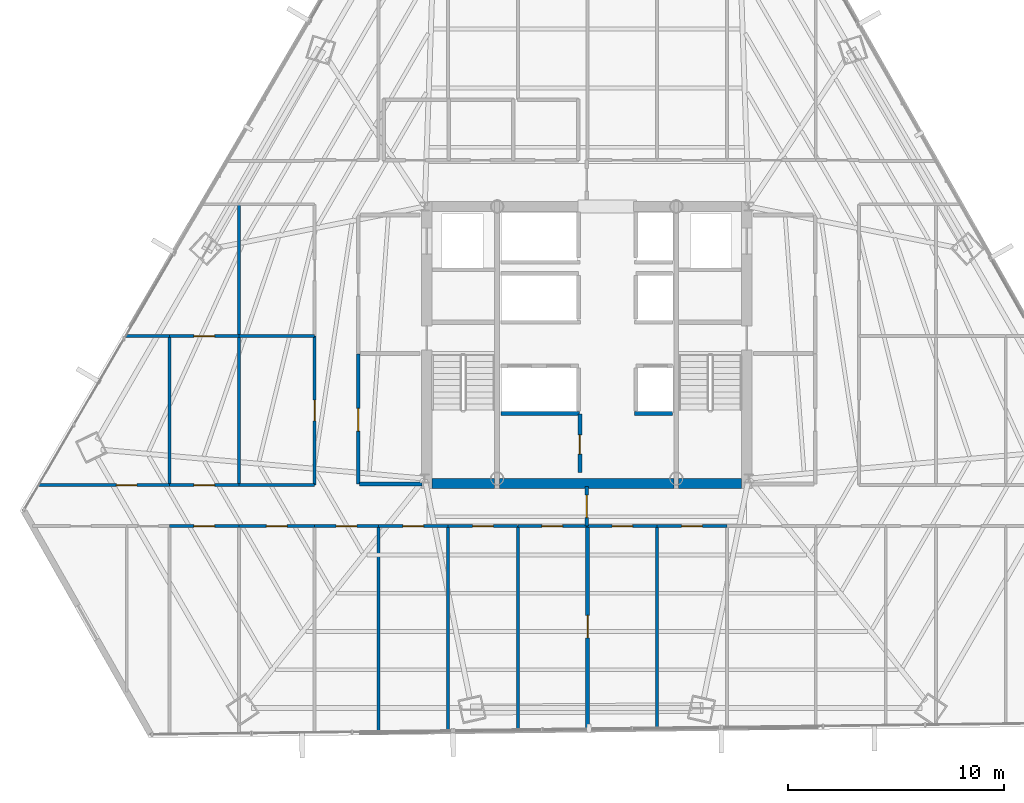
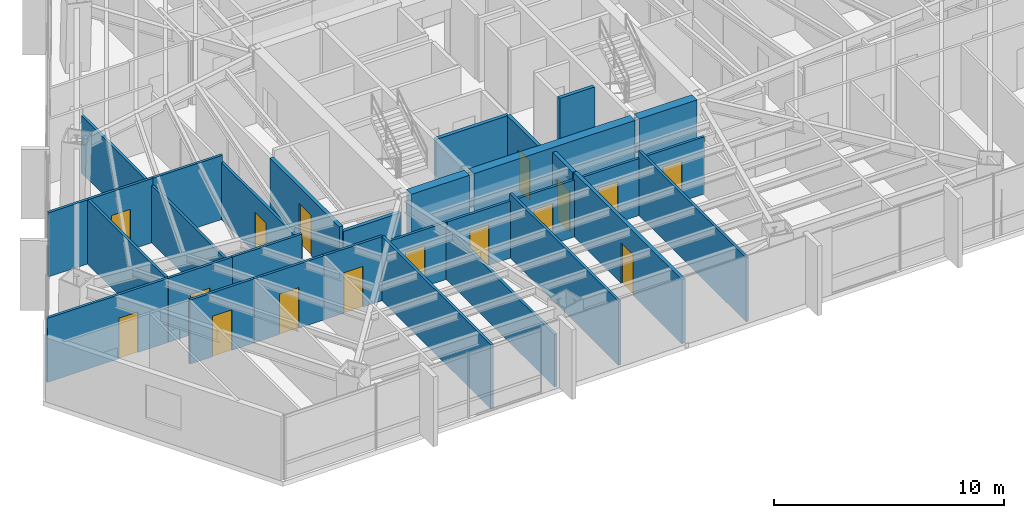
# One storey, part 29 of 35: 32 walls, 16 doors, 16 openings.
"""IFC4 building model written with IfcOpenShell, lengths in metres."""

from ifc_helpers import new_model, si_unit, direction, frame, frame_2d, origin, place, context, subcontext, project, spatial, rectangle, extrude, material, layer, layer_set, type_object, element, fill, save


model = new_model("IFC4")

# Units and contexts
model_context = context("Model", 3, precision=1e-05, world=origin(), true_north=direction((0.0, 1.0)))
body_context = subcontext(model_context, "Body", "Model", "MODEL_VIEW")
ifc_project = project(units=[si_unit("LENGTHUNIT", "METRE"), si_unit("AREAUNIT", "SQUARE_METRE"), si_unit("VOLUMEUNIT", "CUBIC_METRE"), si_unit("PLANEANGLEUNIT", "RADIAN"), si_unit("MASSUNIT", "GRAM", prefix="KILO")], contexts=[model_context])

# Site, building, storey
site_placement = place(None, origin())
site = spatial("IfcSite", under=ifc_project, at=site_placement, CompositionType="ELEMENT")
building_placement = place(site_placement, origin())
building = spatial("IfcBuilding", under=site, at=building_placement, Name="Caelisora Broadcast Tower", CompositionType="ELEMENT")
storey_placement = place(building_placement, frame((0.0, 0.0, 123.64990234375)))
storey = spatial("IfcBuildingStorey", under=building, at=storey_placement, Name="L32", CompositionType="ELEMENT", Elevation=123.64990234375)

# Walls
ifc_material_1 = material(Name="Concrete 50 MPa (AS 3600 S50)", Category="concrete")
ifc_layer_1 = layer(ifc_material_1, 0.449951171875, Name="Concrete 50 MPa (AS 3600 S50)")
ifc_layer_set_1 = layer_set([ifc_layer_1], Name="Concrete 50 MPa (AS 3600 S50)")
wall_type_1 = type_object("IfcWallType", Name="CW5", PredefinedType="SHEAR", material=ifc_layer_set_1)
wall_1_placement = place(storey_placement, frame((30.840087890625, 17.175048828125, 0.0), z_axis=(0.0, 0.0, 1.0), x_axis=(1.0, 0.0, 0.0)))
element("IfcWall", 1, at=wall_1_placement, inside=storey, type_object=wall_type_1, Name="L32 core shear wall CW5", PredefinedType="SHEAR", context=body_context, shape_type="SweptSolid", body=[
    extrude(rectangle(XDim=2.89990234375, YDim=0.449951171875, at=frame_2d((1.449951171875, 0.0))), origin(), (0.0, 0.0, 1.0), 3.650146484375),
])
wall_2_placement = place(storey_placement, frame((33.9599609375, 17.175048828125, 0.0), z_axis=(0.0, 0.0, 1.0), x_axis=(1.0, 0.0, 0.0)))
element("IfcWall", 2, at=wall_2_placement, inside=storey, type_object=wall_type_1, Name="L32 core shear wall CW5", PredefinedType="SHEAR", context=body_context, shape_type="SweptSolid", body=[
    extrude(rectangle(XDim=8.080078125, YDim=0.449951171875, at=frame_2d((4.0400390625, 0.0))), origin(), (0.0, 0.0, 1.0), 3.650146484375),
])
wall_3_placement = place(storey_placement, frame((42.260009765625, 17.175048828125, 0.0), z_axis=(0.0, 0.0, 1.0), x_axis=(1.0, 0.0, 0.0)))
element("IfcWall", 3, at=wall_3_placement, inside=storey, type_object=wall_type_1, Name="L32 core shear wall CW5", PredefinedType="SHEAR", context=body_context, shape_type="SweptSolid", body=[
    extrude(rectangle(XDim=2.89990234375, YDim=0.449951171875, at=frame_2d((1.449951171875, 0.0))), origin(), (0.0, 0.0, 1.0), 3.650146484375),
])
ifc_material_2 = material(Name="Fire-Rated Gypsum Shaft and Compartment Wall", Category="gypsum")
ifc_layer_2 = layer(ifc_material_2, 0.179931640625, Name="Fire-Rated Gypsum Shaft and Compartment Wall")
ifc_layer_set_2 = layer_set([ifc_layer_2], Name="Fire-Rated Gypsum Shaft and Compartment Wall")
wall_type_2 = type_object("IfcWallType", Name="PW2", PredefinedType="PARTITIONING", material=ifc_layer_set_2)
wall_4_placement = place(storey_placement, frame((34.02001953125, 20.419921875, 0.0), z_axis=(0.0, 0.0, 1.0), x_axis=(1.0, 0.0, 0.0)))
element("IfcWall", 4, at=wall_4_placement, inside=storey, type_object=wall_type_2, Name="L32 fire compartment wall PW2", PredefinedType="PARTITIONING", context=body_context, shape_type="SweptSolid", body=[
    extrude(rectangle(XDim=3.639892578125, YDim=0.179931640625, at=frame_2d((1.81982421875, 0.0))), origin(), (0.0, 0.0, 1.0), 3.400146484375),
])
wall_5_placement = place(storey_placement, frame((40.219970703125, 20.419921875, 0.0), z_axis=(0.0, 0.0, 1.0), x_axis=(1.0, 0.0, 0.0)))
element("IfcWall", 5, at=wall_5_placement, inside=storey, type_object=wall_type_2, Name="L32 fire compartment wall PW2", PredefinedType="PARTITIONING", context=body_context, shape_type="SweptSolid", body=[
    extrude(rectangle(XDim=1.760009765625, YDim=0.179931640625, at=frame_2d((0.8798828125, 0.0))), origin(), (0.0, 0.0, 1.0), 3.400146484375),
])

# Wall, opening, door
wall_6_placement = place(storey_placement, frame((37.679931640625, 17.679931640625, 0.0), z_axis=(0.0, 0.0, 1.0), x_axis=(0.0, 1.0, 0.0)))
wall_6 = element("IfcWall", 6, at=wall_6_placement, inside=storey, type_object=wall_type_2, Name="L32 fire compartment wall PW2", PredefinedType="PARTITIONING", context=body_context, shape_type="SweptSolid", body=[
    extrude(rectangle(XDim=2.699951171875, YDim=0.179931640625, at=frame_2d((1.35009765625, 0.0))), origin(), (0.0, 0.0, 1.0), 3.400146484375),
])
opening_1_placement = place(wall_6_placement, frame((0.85009765625, 0.0, 0.0)))
opening_1 = element("IfcOpeningElement", 7, at=opening_1_placement, cuts=wall_6, Name="Opening FD03", PredefinedType="OPENING", context=body_context, shape_type="SweptSolid", body=[
    extrude(rectangle(XDim=0.89990234375, YDim=2.10009765625, at=frame_2d((0.449951171875, 1.050048828125))), frame((0.0, 0.10205078125, 0.0), z_axis=(0.0, -1.0, 0.0), x_axis=(1.0, 0.0, 0.0)), (0.0, 0.0, 1.0), 0.203857421875),
])
ifc_material_3 = material(Name="Single-Leaf Steel Riser Fire Access Door", Category="steel")
door_type_1 = type_object("IfcDoorType", Name="FD03", OperationType="NOTDEFINED", PredefinedType="DOOR", material=ifc_material_3)
door_1_placement = place(opening_1_placement, origin())
door_1 = element("IfcDoor", 8, at=door_1_placement, inside=storey, type_object=door_type_1, Name="L32 door FD03 (L32-DR-P11D1)", OperationType="SINGLE_SWING_LEFT", OverallHeight=2.10009765625, OverallWidth=0.89990234375, PredefinedType="DOOR", context=body_context, shape_type="SweptSolid", body=[
    extrude(rectangle(XDim=0.89990234375, YDim=2.10009765625, at=frame_2d((0.449951171875, 1.050048828125))), frame((0.0, 0.02490234375, 0.0), z_axis=(0.0, -1.0, 0.0), x_axis=(1.0, 0.0, 0.0)), (0.0, 0.0, 1.0), 0.050048828125),
])
fill(opening_1, door_1)

wall_7_placement = place(storey_placement, frame((27.419921875, 17.14990234375, 0.0), z_axis=(0.0, 0.0, 1.0), x_axis=(0.0, 1.0, 0.0)))
wall_7 = element("IfcWall", 9, at=wall_7_placement, inside=storey, type_object=wall_type_2, Name="L32 fire compartment wall PW2", PredefinedType="PARTITIONING", context=body_context, shape_type="SweptSolid", body=[
    extrude(rectangle(XDim=6.030029296875, YDim=0.179931640625, at=frame_2d((3.01513671875, 0.0))), origin(), (0.0, 0.0, 1.0), 3.026611328125),
])
opening_2_placement = place(wall_7_placement, frame((2.449951171875, 0.0, 0.0)))
opening_2 = element("IfcOpeningElement", 10, at=opening_2_placement, cuts=wall_7, Name="Opening FD02", PredefinedType="OPENING", context=body_context, shape_type="SweptSolid", body=[
    extrude(rectangle(XDim=1.050048828125, YDim=2.14990234375, at=frame_2d((0.52490234375, 1.074951171875))), frame((0.0, 0.10205078125, 0.0), z_axis=(0.0, -1.0, 0.0), x_axis=(1.0, 0.0, 0.0)), (0.0, 0.0, 1.0), 0.203857421875),
])
ifc_material_4 = material(Name="Single-Leaf Steel Fire Lobby Door", Category="steel")
door_type_2 = type_object("IfcDoorType", Name="FD02", OperationType="NOTDEFINED", PredefinedType="DOOR", material=ifc_material_4)
door_2_placement = place(opening_2_placement, origin())
door_2 = element("IfcDoor", 11, at=door_2_placement, inside=storey, type_object=door_type_2, Name="L32 door FD02 (L32-DR-P12D1)", OperationType="SINGLE_SWING_RIGHT", OverallHeight=2.14990234375, OverallWidth=1.050048828125, PredefinedType="DOOR", context=body_context, shape_type="SweptSolid", body=[
    extrude(rectangle(XDim=1.050048828125, YDim=2.14990234375, at=frame_2d((0.52490234375, 1.074951171875))), frame((0.0, 0.02490234375, 0.0), z_axis=(0.0, -1.0, 0.0), x_axis=(1.0, 0.0, 0.0)), (0.0, 0.0, 1.0), 0.050048828125),
])
fill(opening_2, door_2)

# Wall
wall_8_placement = place(storey_placement, frame((27.47998046875, 17.14990234375, 0.0), z_axis=(0.0, 0.0, 1.0), x_axis=(1.0, 0.0, 0.0)))
element("IfcWall", 12, at=wall_8_placement, inside=storey, type_object=wall_type_2, Name="L32 fire compartment wall PW2", PredefinedType="PARTITIONING", context=body_context, shape_type="SweptSolid", body=[
    extrude(rectangle(XDim=2.89990234375, YDim=0.179931640625, at=frame_2d((1.449951171875, 0.0))), origin(), (0.0, 0.0, 1.0), 2.782958984375),
])

# Wall, opening, door
wall_9_placement = place(storey_placement, frame((38.0400390625, 5.79931640625, 0.0), z_axis=(0.0, 0.0, 1.0), x_axis=(0.0, 1.0, 0.0)))
wall_9 = element("IfcWall", 13, at=wall_9_placement, inside=storey, type_object=wall_type_2, Name="L32 fire compartment wall PW2", PredefinedType="PARTITIONING", context=body_context, shape_type="SweptSolid", body=[
    extrude(rectangle(XDim=9.395751953125, YDim=0.179931640625, at=frame_2d((4.69775390625, 0.0))), origin(), (0.0, 0.0, 1.0), 3.400146484375),
])
opening_3_placement = place(wall_9_placement, frame((4.222900390625, 0.0, 0.0)))
opening_3 = element("IfcOpeningElement", 14, at=opening_3_placement, cuts=wall_9, Name="Opening FD02", PredefinedType="OPENING", context=body_context, shape_type="SweptSolid", body=[
    extrude(rectangle(XDim=1.050048828125, YDim=2.14990234375, at=frame_2d((0.52490234375, 1.074951171875))), frame((0.0, 0.10205078125, 0.0), z_axis=(0.0, -1.0, 0.0), x_axis=(1.0, 0.0, 0.0)), (0.0, 0.0, 1.0), 0.203857421875),
])
door_3_placement = place(opening_3_placement, origin())
door_3 = element("IfcDoor", 15, at=door_3_placement, inside=storey, type_object=door_type_2, Name="L32 door FD02 (L32-DR-P39D1)", OperationType="SINGLE_SWING_RIGHT", OverallHeight=2.14990234375, OverallWidth=1.050048828125, PredefinedType="DOOR", context=body_context, shape_type="SweptSolid", body=[
    extrude(rectangle(XDim=1.050048828125, YDim=2.14990234375, at=frame_2d((0.52490234375, 1.074951171875))), frame((0.0, 0.02490234375, 0.0), z_axis=(0.0, -1.0, 0.0), x_axis=(1.0, 0.0, 0.0)), (0.0, 0.0, 1.0), 0.050048828125),
])
fill(opening_3, door_3)

wall_10_placement = place(storey_placement, frame((38.0, 15.205078125, 0.0), z_axis=(0.0, 0.0, 1.0), x_axis=(0.0, 1.0, 0.0)))
wall_10 = element("IfcWall", 16, at=wall_10_placement, inside=storey, type_object=wall_type_2, Name="L32 fire compartment wall PW2", PredefinedType="PARTITIONING", context=body_context, shape_type="SweptSolid", body=[
    extrude(rectangle(XDim=1.81982421875, YDim=0.179931640625, at=frame_2d((0.909912109375, 0.0))), origin(), (0.0, 0.0, 1.0), 3.400146484375),
])
opening_4_placement = place(wall_10_placement, frame((0.385009765625, 0.0, 0.0)))
opening_4 = element("IfcOpeningElement", 17, at=opening_4_placement, cuts=wall_10, Name="Opening FD02", PredefinedType="OPENING", context=body_context, shape_type="SweptSolid", body=[
    extrude(rectangle(XDim=1.050048828125, YDim=2.14990234375, at=frame_2d((0.52490234375, 1.074951171875))), frame((0.0, 0.10205078125, 0.0), z_axis=(0.0, -1.0, 0.0), x_axis=(1.0, 0.0, 0.0)), (0.0, 0.0, 1.0), 0.203857421875),
])
door_4_placement = place(opening_4_placement, origin())
door_4 = element("IfcDoor", 18, at=door_4_placement, inside=storey, type_object=door_type_2, Name="L32 door FD02 (L32-DR-P92D1)", OperationType="SINGLE_SWING_LEFT", OverallHeight=2.14990234375, OverallWidth=1.050048828125, PredefinedType="DOOR", context=body_context, shape_type="SweptSolid", body=[
    extrude(rectangle(XDim=1.050048828125, YDim=2.14990234375, at=frame_2d((0.52490234375, 1.074951171875))), frame((0.0, 0.02490234375, 0.0), z_axis=(0.0, -1.0, 0.0), x_axis=(1.0, 0.0, 0.0)), (0.0, 0.0, 1.0), 0.050048828125),
])
fill(opening_4, door_4)

# Walls
ifc_material_5 = material(Name="Acoustic Steel-Stud Plasterboard Partition", Category="gypsum")
ifc_layer_3 = layer(ifc_material_5, 0.1298828125, Name="Acoustic Steel-Stud Plasterboard Partition")
ifc_layer_set_3 = layer_set([ifc_layer_3], Name="Acoustic Steel-Stud Plasterboard Partition")
wall_type_3 = type_object("IfcWallType", Name="PW3", PredefinedType="PARTITIONING", material=ifc_layer_set_3)
wall_11_placement = place(storey_placement, frame((28.360107421875, 5.678466796875, 0.0), z_axis=(0.0, 0.0, 1.0), x_axis=(0.0, 1.0, 0.0)))
element("IfcWall", 19, at=wall_11_placement, inside=storey, type_object=wall_type_3, Name="L32 internal partition PW3", PredefinedType="PARTITIONING", context=body_context, shape_type="SweptSolid", body=[
    extrude(rectangle(XDim=9.5166015625, YDim=0.1298828125, at=frame_2d((4.75830078125, 0.0))), origin(), (0.0, 0.0, 1.0), 3.400146484375),
])
wall_12_placement = place(storey_placement, frame((31.580078125, 5.718505859375, 0.0), z_axis=(0.0, 0.0, 1.0), x_axis=(0.0, 1.0, 0.0)))
element("IfcWall", 20, at=wall_12_placement, inside=storey, type_object=wall_type_3, Name="L32 internal partition PW3", PredefinedType="PARTITIONING", context=body_context, shape_type="SweptSolid", body=[
    extrude(rectangle(XDim=9.4765625, YDim=0.1298828125, at=frame_2d((4.73828125, 0.0))), origin(), (0.0, 0.0, 1.0), 2.782958984375),
])
wall_13_placement = place(storey_placement, frame((34.81005859375, 5.7587890625, 0.0), z_axis=(0.0, 0.0, 1.0), x_axis=(0.0, 1.0, 0.0)))
element("IfcWall", 21, at=wall_13_placement, inside=storey, type_object=wall_type_3, Name="L32 internal partition PW3", PredefinedType="PARTITIONING", context=body_context, shape_type="SweptSolid", body=[
    extrude(rectangle(XDim=9.436279296875, YDim=0.1298828125, at=frame_2d((4.71826171875, 0.0))), origin(), (0.0, 0.0, 1.0), 3.400146484375),
])
wall_14_placement = place(storey_placement, frame((41.260009765625, 5.83935546875, 0.0), z_axis=(0.0, 0.0, 1.0), x_axis=(0.0, 1.0, 0.0)))
element("IfcWall", 22, at=wall_14_placement, inside=storey, type_object=wall_type_3, Name="L32 internal partition PW3", PredefinedType="PARTITIONING", context=body_context, shape_type="SweptSolid", body=[
    extrude(rectangle(XDim=9.355712890625, YDim=0.1298828125, at=frame_2d((4.677734375, 0.0))), origin(), (0.0, 0.0, 1.0), 3.400146484375),
])

# Wall, opening, door
wall_15_placement = place(storey_placement, frame((25.39990234375, 17.10498046875, 0.0), z_axis=(0.0, 0.0, 1.0), x_axis=(0.0, 1.0, 0.0)))
wall_15 = element("IfcWall", 23, at=wall_15_placement, inside=storey, type_object=wall_type_3, Name="L32 internal partition PW3", PredefinedType="PARTITIONING", context=body_context, shape_type="SweptSolid", body=[
    extrude(rectangle(XDim=6.89013671875, YDim=0.1298828125, at=frame_2d((3.445068359375, 0.0))), origin(), (0.0, 0.0, 1.0), 3.026611328125),
])
opening_5_placement = place(wall_15_placement, frame((2.965087890625, 0.0, 0.0)))
opening_5 = element("IfcOpeningElement", 24, at=opening_5_placement, cuts=wall_15, Name="Opening D01", PredefinedType="OPENING", context=body_context, shape_type="SweptSolid", body=[
    extrude(rectangle(XDim=0.9599609375, YDim=2.14990234375, at=frame_2d((0.47998046875, 1.074951171875))), frame((0.0, 0.076904296875, 0.0), z_axis=(0.0, -1.0, 0.0), x_axis=(1.0, 0.0, 0.0)), (0.0, 0.0, 1.0), 0.15380859375),
])
ifc_material_6 = material(Name="Solid-Core Timber Acoustic Office Door", Category="wood")
door_type_3 = type_object("IfcDoorType", Name="D01", OperationType="NOTDEFINED", PredefinedType="DOOR", material=ifc_material_6)
door_5_placement = place(opening_5_placement, origin())
door_5 = element("IfcDoor", 25, at=door_5_placement, inside=storey, type_object=door_type_3, Name="L32 door D01 (L32-DR-P47D1)", OperationType="SINGLE_SWING_LEFT", OverallHeight=2.14990234375, OverallWidth=0.9599609375, PredefinedType="DOOR", context=body_context, shape_type="SweptSolid", body=[
    extrude(rectangle(XDim=0.9599609375, YDim=2.14990234375, at=frame_2d((0.47998046875, 1.074951171875))), frame((0.0, 0.02490234375, 0.0), z_axis=(0.0, -1.0, 0.0), x_axis=(1.0, 0.0, 0.0)), (0.0, 0.0, 1.0), 0.050048828125),
])
fill(opening_5, door_5)

# Walls
wall_16_placement = place(storey_placement, frame((18.679931640625, 17.10498046875, 0.0), z_axis=(0.0, 0.0, 1.0), x_axis=(0.0, 1.0, 0.0)))
element("IfcWall", 26, at=wall_16_placement, inside=storey, type_object=wall_type_3, Name="L32 internal partition PW3", PredefinedType="PARTITIONING", context=body_context, shape_type="SweptSolid", body=[
    extrude(rectangle(XDim=6.89013671875, YDim=0.1298828125, at=frame_2d((3.445068359375, 0.0))), origin(), (0.0, 0.0, 1.0), 3.400146484375),
])
wall_17_placement = place(storey_placement, frame((21.89990234375, 17.10498046875, 0.0), z_axis=(0.0, 0.0, 1.0), x_axis=(0.0, 1.0, 0.0)))
element("IfcWall", 27, at=wall_17_placement, inside=storey, type_object=wall_type_3, Name="L32 internal partition PW3", PredefinedType="PARTITIONING", context=body_context, shape_type="SweptSolid", body=[
    extrude(rectangle(XDim=6.89013671875, YDim=0.1298828125, at=frame_2d((3.445068359375, 0.0))), origin(), (0.0, 0.0, 1.0), 3.026611328125),
])

# Wall, opening, door
wall_18_placement = place(storey_placement, frame((12.614013671875, 17.10009765625, 0.0), z_axis=(0.0, 0.0, 1.0), x_axis=(1.0, 0.0, 0.0)))
wall_18 = element("IfcWall", 28, at=wall_18_placement, inside=storey, type_object=wall_type_3, Name="L32 internal partition PW3", PredefinedType="PARTITIONING", context=body_context, shape_type="SweptSolid", body=[
    extrude(rectangle(XDim=6.06103515625, YDim=0.1298828125, at=frame_2d((3.030517578125, 0.0))), origin(), (0.0, 0.0, 1.0), 3.400146484375),
])
opening_6_placement = place(wall_18_placement, frame((3.60009765625, 0.0, 0.0)))
opening_6 = element("IfcOpeningElement", 29, at=opening_6_placement, cuts=wall_18, Name="Opening D01", PredefinedType="OPENING", context=body_context, shape_type="SweptSolid", body=[
    extrude(rectangle(XDim=0.9599609375, YDim=2.14990234375, at=frame_2d((0.47998046875, 1.074951171875))), frame((0.0, 0.076904296875, 0.0), z_axis=(0.0, -1.0, 0.0), x_axis=(1.0, 0.0, 0.0)), (0.0, 0.0, 1.0), 0.15380859375),
])
door_6_placement = place(opening_6_placement, origin())
door_6 = element("IfcDoor", 30, at=door_6_placement, inside=storey, type_object=door_type_3, Name="L32 door D01 (L32-DR-P54D1)", OperationType="SINGLE_SWING_RIGHT", OverallHeight=2.14990234375, OverallWidth=0.9599609375, PredefinedType="DOOR", context=body_context, shape_type="SweptSolid", body=[
    extrude(rectangle(XDim=0.9599609375, YDim=2.14990234375, at=frame_2d((0.47998046875, 1.074951171875))), frame((0.0, 0.02490234375, 0.0), z_axis=(0.0, -1.0, 0.0), x_axis=(1.0, 0.0, 0.0)), (0.0, 0.0, 1.0), 0.050048828125),
])
fill(opening_6, door_6)

# Walls
wall_19_placement = place(storey_placement, frame((21.89990234375, 24.0048828125, 0.0), z_axis=(0.0, 0.0, 1.0), x_axis=(0.0, 1.0, 0.0)))
element("IfcWall", 31, at=wall_19_placement, inside=storey, type_object=wall_type_3, Name="L32 internal partition PW3", PredefinedType="PARTITIONING", context=body_context, shape_type="SweptSolid", body=[
    extrude(rectangle(XDim=6.090087890625, YDim=0.1298828125, at=frame_2d((3.044921875, 0.0))), origin(), (0.0, 0.0, 1.0), 3.026611328125),
])
wall_20_placement = place(storey_placement, frame((21.905029296875, 17.10009765625, 0.0), z_axis=(0.0, 0.0, 1.0), x_axis=(1.0, 0.0, 0.0)))
element("IfcWall", 32, at=wall_20_placement, inside=storey, type_object=wall_type_3, Name="L32 internal partition PW3", PredefinedType="PARTITIONING", context=body_context, shape_type="SweptSolid", body=[
    extrude(rectangle(XDim=3.489990234375, YDim=0.1298828125, at=frame_2d((1.7451171875, 0.0))), origin(), (0.0, 0.0, 1.0), 3.400146484375),
])

# Wall, opening, door
wall_21_placement = place(storey_placement, frame((21.905029296875, 15.199951171875, 0.0), z_axis=(0.0, 0.0, 1.0), x_axis=(1.0, 0.0, 0.0)))
wall_21 = element("IfcWall", 33, at=wall_21_placement, inside=storey, type_object=wall_type_3, Name="L32 internal partition PW3", PredefinedType="PARTITIONING", context=body_context, shape_type="SweptSolid", body=[
    extrude(rectangle(XDim=3.489990234375, YDim=0.1298828125, at=frame_2d((1.7451171875, 0.0))), origin(), (0.0, 0.0, 1.0), 3.400146484375),
])
opening_7_placement = place(wall_21_placement, frame((1.264892578125, 0.0, 0.0)))
opening_7 = element("IfcOpeningElement", 34, at=opening_7_placement, cuts=wall_21, Name="Opening D01", PredefinedType="OPENING", context=body_context, shape_type="SweptSolid", body=[
    extrude(rectangle(XDim=0.9599609375, YDim=2.14990234375, at=frame_2d((0.47998046875, 1.074951171875))), frame((0.0, 0.076904296875, 0.0), z_axis=(0.0, -1.0, 0.0), x_axis=(1.0, 0.0, 0.0)), (0.0, 0.0, 1.0), 0.15380859375),
])
door_7_placement = place(opening_7_placement, origin())
door_7 = element("IfcDoor", 35, at=door_7_placement, inside=storey, type_object=door_type_3, Name="L32 door D01 (L32-DR-P70D1)", OperationType="SINGLE_SWING_RIGHT", OverallHeight=2.14990234375, OverallWidth=0.9599609375, PredefinedType="DOOR", context=body_context, shape_type="SweptSolid", body=[
    extrude(rectangle(XDim=0.9599609375, YDim=2.14990234375, at=frame_2d((0.47998046875, 1.074951171875))), frame((0.0, 0.02490234375, 0.0), z_axis=(0.0, -1.0, 0.0), x_axis=(1.0, 0.0, 0.0)), (0.0, 0.0, 1.0), 0.050048828125),
])
fill(opening_7, door_7)

# Wall
wall_22_placement = place(storey_placement, frame((21.905029296875, 24.0, 0.0), z_axis=(0.0, 0.0, 1.0), x_axis=(1.0, 0.0, 0.0)))
element("IfcWall", 36, at=wall_22_placement, inside=storey, type_object=wall_type_3, Name="L32 internal partition PW3", PredefinedType="PARTITIONING", context=body_context, shape_type="SweptSolid", body=[
    extrude(rectangle(XDim=3.489990234375, YDim=0.1298828125, at=frame_2d((1.7451171875, 0.0))), origin(), (0.0, 0.0, 1.0), 3.400146484375),
])

# Wall, opening, door
wall_23_placement = place(storey_placement, frame((31.5849609375, 15.199951171875, 0.0), z_axis=(0.0, 0.0, 1.0), x_axis=(1.0, 0.0, 0.0)))
wall_23 = element("IfcWall", 37, at=wall_23_placement, inside=storey, type_object=wall_type_3, Name="L32 internal partition PW3", PredefinedType="PARTITIONING", context=body_context, shape_type="SweptSolid", body=[
    extrude(rectangle(XDim=3.219970703125, YDim=0.1298828125, at=frame_2d((1.60986328125, 0.0))), origin(), (0.0, 0.0, 1.0), 3.026611328125),
])
opening_8_placement = place(wall_23_placement, frame((1.1298828125, 0.0, 0.0)))
opening_8 = element("IfcOpeningElement", 38, at=opening_8_placement, cuts=wall_23, Name="Opening D01", PredefinedType="OPENING", context=body_context, shape_type="SweptSolid", body=[
    extrude(rectangle(XDim=0.9599609375, YDim=2.14990234375, at=frame_2d((0.47998046875, 1.074951171875))), frame((0.0, 0.076904296875, 0.0), z_axis=(0.0, -1.0, 0.0), x_axis=(1.0, 0.0, 0.0)), (0.0, 0.0, 1.0), 0.15380859375),
])
door_8_placement = place(opening_8_placement, origin())
door_8 = element("IfcDoor", 39, at=door_8_placement, inside=storey, type_object=door_type_3, Name="L32 door D01 (L32-DR-P73D1)", OperationType="SINGLE_SWING_RIGHT", OverallHeight=2.14990234375, OverallWidth=0.9599609375, PredefinedType="DOOR", context=body_context, shape_type="SweptSolid", body=[
    extrude(rectangle(XDim=0.9599609375, YDim=2.14990234375, at=frame_2d((0.47998046875, 1.074951171875))), frame((0.0, 0.02490234375, 0.0), z_axis=(0.0, -1.0, 0.0), x_axis=(1.0, 0.0, 0.0)), (0.0, 0.0, 1.0), 0.050048828125),
])
fill(opening_8, door_8)

wall_24_placement = place(storey_placement, frame((41.264892578125, 15.199951171875, 0.0), z_axis=(0.0, 0.0, 1.0), x_axis=(1.0, 0.0, 0.0)))
wall_24 = element("IfcWall", 40, at=wall_24_placement, inside=storey, type_object=wall_type_3, Name="L32 internal partition PW3", PredefinedType="PARTITIONING", context=body_context, shape_type="SweptSolid", body=[
    extrude(rectangle(XDim=3.22021484375, YDim=0.1298828125, at=frame_2d((1.610107421875, 0.0))), origin(), (0.0, 0.0, 1.0), 3.026611328125),
])
opening_9_placement = place(wall_24_placement, frame((1.1298828125, 0.0, 0.0)))
opening_9 = element("IfcOpeningElement", 41, at=opening_9_placement, cuts=wall_24, Name="Opening D01", PredefinedType="OPENING", context=body_context, shape_type="SweptSolid", body=[
    extrude(rectangle(XDim=0.9599609375, YDim=2.14990234375, at=frame_2d((0.47998046875, 1.074951171875))), frame((0.0, 0.076904296875, 0.0), z_axis=(0.0, -1.0, 0.0), x_axis=(1.0, 0.0, 0.0)), (0.0, 0.0, 1.0), 0.15380859375),
])
door_9_placement = place(opening_9_placement, origin())
door_9 = element("IfcDoor", 42, at=door_9_placement, inside=storey, type_object=door_type_3, Name="L32 door D01 (L32-DR-P75D1)", OperationType="SINGLE_SWING_RIGHT", OverallHeight=2.14990234375, OverallWidth=0.9599609375, PredefinedType="DOOR", context=body_context, shape_type="SweptSolid", body=[
    extrude(rectangle(XDim=0.9599609375, YDim=2.14990234375, at=frame_2d((0.47998046875, 1.074951171875))), frame((0.0, 0.02490234375, 0.0), z_axis=(0.0, -1.0, 0.0), x_axis=(1.0, 0.0, 0.0)), (0.0, 0.0, 1.0), 0.050048828125),
])
fill(opening_9, door_9)

wall_25_placement = place(storey_placement, frame((18.68505859375, 17.10009765625, 0.0), z_axis=(0.0, 0.0, 1.0), x_axis=(1.0, 0.0, 0.0)))
wall_25 = element("IfcWall", 43, at=wall_25_placement, inside=storey, type_object=wall_type_3, Name="L32 internal partition PW3", PredefinedType="PARTITIONING", context=body_context, shape_type="SweptSolid", body=[
    extrude(rectangle(XDim=3.2099609375, YDim=0.1298828125, at=frame_2d((1.60498046875, 0.0))), origin(), (0.0, 0.0, 1.0), 3.400146484375),
])
opening_10_placement = place(wall_25_placement, frame((1.125, 0.0, 0.0)))
opening_10 = element("IfcOpeningElement", 44, at=opening_10_placement, cuts=wall_25, Name="Opening D01", PredefinedType="OPENING", context=body_context, shape_type="SweptSolid", body=[
    extrude(rectangle(XDim=0.9599609375, YDim=2.14990234375, at=frame_2d((0.47998046875, 1.074951171875))), frame((0.0, 0.076904296875, 0.0), z_axis=(0.0, -1.0, 0.0), x_axis=(1.0, 0.0, 0.0)), (0.0, 0.0, 1.0), 0.15380859375),
])
door_10_placement = place(opening_10_placement, origin())
door_10 = element("IfcDoor", 45, at=door_10_placement, inside=storey, type_object=door_type_3, Name="L32 door D01 (L32-DR-P79D1)", OperationType="SINGLE_SWING_LEFT", OverallHeight=2.14990234375, OverallWidth=0.9599609375, PredefinedType="DOOR", context=body_context, shape_type="SweptSolid", body=[
    extrude(rectangle(XDim=0.9599609375, YDim=2.14990234375, at=frame_2d((0.47998046875, 1.074951171875))), frame((0.0, 0.02490234375, 0.0), z_axis=(0.0, -1.0, 0.0), x_axis=(1.0, 0.0, 0.0)), (0.0, 0.0, 1.0), 0.050048828125),
])
fill(opening_10, door_10)

wall_26_placement = place(storey_placement, frame((28.364990234375, 15.199951171875, 0.0), z_axis=(0.0, 0.0, 1.0), x_axis=(1.0, 0.0, 0.0)))
wall_26 = element("IfcWall", 46, at=wall_26_placement, inside=storey, type_object=wall_type_3, Name="L32 internal partition PW3", PredefinedType="PARTITIONING", context=body_context, shape_type="SweptSolid", body=[
    extrude(rectangle(XDim=3.2099609375, YDim=0.1298828125, at=frame_2d((1.60498046875, 0.0))), origin(), (0.0, 0.0, 1.0), 3.026611328125),
])
opening_11_placement = place(wall_26_placement, frame((1.125, 0.0, 0.0)))
opening_11 = element("IfcOpeningElement", 47, at=opening_11_placement, cuts=wall_26, Name="Opening D01", PredefinedType="OPENING", context=body_context, shape_type="SweptSolid", body=[
    extrude(rectangle(XDim=0.9599609375, YDim=2.14990234375, at=frame_2d((0.47998046875, 1.074951171875))), frame((0.0, 0.076904296875, 0.0), z_axis=(0.0, -1.0, 0.0), x_axis=(1.0, 0.0, 0.0)), (0.0, 0.0, 1.0), 0.15380859375),
])
door_11_placement = place(opening_11_placement, origin())
door_11 = element("IfcDoor", 48, at=door_11_placement, inside=storey, type_object=door_type_3, Name="L32 door D01 (L32-DR-P80D1)", OperationType="SINGLE_SWING_RIGHT", OverallHeight=2.14990234375, OverallWidth=0.9599609375, PredefinedType="DOOR", context=body_context, shape_type="SweptSolid", body=[
    extrude(rectangle(XDim=0.9599609375, YDim=2.14990234375, at=frame_2d((0.47998046875, 1.074951171875))), frame((0.0, 0.02490234375, 0.0), z_axis=(0.0, -1.0, 0.0), x_axis=(1.0, 0.0, 0.0)), (0.0, 0.0, 1.0), 0.050048828125),
])
fill(opening_11, door_11)

wall_27_placement = place(storey_placement, frame((18.68505859375, 15.199951171875, 0.0), z_axis=(0.0, 0.0, 1.0), x_axis=(1.0, 0.0, 0.0)))
wall_27 = element("IfcWall", 49, at=wall_27_placement, inside=storey, type_object=wall_type_3, Name="L32 internal partition PW3", PredefinedType="PARTITIONING", context=body_context, shape_type="SweptSolid", body=[
    extrude(rectangle(XDim=3.2099609375, YDim=0.1298828125, at=frame_2d((1.60498046875, 0.0))), origin(), (0.0, 0.0, 1.0), 3.400146484375),
])
opening_12_placement = place(wall_27_placement, frame((1.125, 0.0, 0.0)))
opening_12 = element("IfcOpeningElement", 50, at=opening_12_placement, cuts=wall_27, Name="Opening D01", PredefinedType="OPENING", context=body_context, shape_type="SweptSolid", body=[
    extrude(rectangle(XDim=0.9599609375, YDim=2.14990234375, at=frame_2d((0.47998046875, 1.074951171875))), frame((0.0, 0.076904296875, 0.0), z_axis=(0.0, -1.0, 0.0), x_axis=(1.0, 0.0, 0.0)), (0.0, 0.0, 1.0), 0.15380859375),
])
door_12_placement = place(opening_12_placement, origin())
door_12 = element("IfcDoor", 51, at=door_12_placement, inside=storey, type_object=door_type_3, Name="L32 door D01 (L32-DR-P81D1)", OperationType="SINGLE_SWING_LEFT", OverallHeight=2.14990234375, OverallWidth=0.9599609375, PredefinedType="DOOR", context=body_context, shape_type="SweptSolid", body=[
    extrude(rectangle(XDim=0.9599609375, YDim=2.14990234375, at=frame_2d((0.47998046875, 1.074951171875))), frame((0.0, 0.02490234375, 0.0), z_axis=(0.0, -1.0, 0.0), x_axis=(1.0, 0.0, 0.0)), (0.0, 0.0, 1.0), 0.050048828125),
])
fill(opening_12, door_12)

wall_28_placement = place(storey_placement, frame((38.044921875, 15.199951171875, 0.0), z_axis=(0.0, 0.0, 1.0), x_axis=(1.0, 0.0, 0.0)))
wall_28 = element("IfcWall", 52, at=wall_28_placement, inside=storey, type_object=wall_type_3, Name="L32 internal partition PW3", PredefinedType="PARTITIONING", context=body_context, shape_type="SweptSolid", body=[
    extrude(rectangle(XDim=3.2099609375, YDim=0.1298828125, at=frame_2d((1.60498046875, 0.0))), origin(), (0.0, 0.0, 1.0), 3.026611328125),
])
opening_13_placement = place(wall_28_placement, frame((1.125, 0.0, 0.0)))
opening_13 = element("IfcOpeningElement", 53, at=opening_13_placement, cuts=wall_28, Name="Opening D01", PredefinedType="OPENING", context=body_context, shape_type="SweptSolid", body=[
    extrude(rectangle(XDim=0.9599609375, YDim=2.14990234375, at=frame_2d((0.47998046875, 1.074951171875))), frame((0.0, 0.076904296875, 0.0), z_axis=(0.0, -1.0, 0.0), x_axis=(1.0, 0.0, 0.0)), (0.0, 0.0, 1.0), 0.15380859375),
])
door_13_placement = place(opening_13_placement, origin())
door_13 = element("IfcDoor", 54, at=door_13_placement, inside=storey, type_object=door_type_3, Name="L32 door D01 (L32-DR-P83D1)", OperationType="SINGLE_SWING_LEFT", OverallHeight=2.14990234375, OverallWidth=0.9599609375, PredefinedType="DOOR", context=body_context, shape_type="SweptSolid", body=[
    extrude(rectangle(XDim=0.9599609375, YDim=2.14990234375, at=frame_2d((0.47998046875, 1.074951171875))), frame((0.0, 0.02490234375, 0.0), z_axis=(0.0, -1.0, 0.0), x_axis=(1.0, 0.0, 0.0)), (0.0, 0.0, 1.0), 0.050048828125),
])
fill(opening_13, door_13)

wall_29_placement = place(storey_placement, frame((18.68505859375, 24.0, 0.0), z_axis=(0.0, 0.0, 1.0), x_axis=(1.0, 0.0, 0.0)))
wall_29 = element("IfcWall", 55, at=wall_29_placement, inside=storey, type_object=wall_type_3, Name="L32 internal partition PW3", PredefinedType="PARTITIONING", context=body_context, shape_type="SweptSolid", body=[
    extrude(rectangle(XDim=3.2099609375, YDim=0.1298828125, at=frame_2d((1.60498046875, 0.0))), origin(), (0.0, 0.0, 1.0), 3.400146484375),
])
opening_14_placement = place(wall_29_placement, frame((1.125, 0.0, 0.0)))
opening_14 = element("IfcOpeningElement", 56, at=opening_14_placement, cuts=wall_29, Name="Opening D01", PredefinedType="OPENING", context=body_context, shape_type="SweptSolid", body=[
    extrude(rectangle(XDim=0.9599609375, YDim=2.14990234375, at=frame_2d((0.47998046875, 1.074951171875))), frame((0.0, 0.076904296875, 0.0), z_axis=(0.0, -1.0, 0.0), x_axis=(1.0, 0.0, 0.0)), (0.0, 0.0, 1.0), 0.15380859375),
])
door_14_placement = place(opening_14_placement, origin())
door_14 = element("IfcDoor", 57, at=door_14_placement, inside=storey, type_object=door_type_3, Name="L32 door D01 (L32-DR-P84D1)", OperationType="SINGLE_SWING_RIGHT", OverallHeight=2.14990234375, OverallWidth=0.9599609375, PredefinedType="DOOR", context=body_context, shape_type="SweptSolid", body=[
    extrude(rectangle(XDim=0.9599609375, YDim=2.14990234375, at=frame_2d((0.47998046875, 1.074951171875))), frame((0.0, 0.02490234375, 0.0), z_axis=(0.0, -1.0, 0.0), x_axis=(1.0, 0.0, 0.0)), (0.0, 0.0, 1.0), 0.050048828125),
])
fill(opening_14, door_14)

wall_30_placement = place(storey_placement, frame((34.81494140625, 15.199951171875, 0.0), z_axis=(0.0, 0.0, 1.0), x_axis=(1.0, 0.0, 0.0)))
wall_30 = element("IfcWall", 58, at=wall_30_placement, inside=storey, type_object=wall_type_3, Name="L32 internal partition PW3", PredefinedType="PARTITIONING", context=body_context, shape_type="SweptSolid", body=[
    extrude(rectangle(XDim=3.18017578125, YDim=0.1298828125, at=frame_2d((1.590087890625, 0.0))), origin(), (0.0, 0.0, 1.0), 3.026611328125),
])
opening_15_placement = place(wall_30_placement, frame((1.110107421875, 0.0, 0.0)))
opening_15 = element("IfcOpeningElement", 59, at=opening_15_placement, cuts=wall_30, Name="Opening D01", PredefinedType="OPENING", context=body_context, shape_type="SweptSolid", body=[
    extrude(rectangle(XDim=0.9599609375, YDim=2.14990234375, at=frame_2d((0.47998046875, 1.074951171875))), frame((0.0, 0.076904296875, 0.0), z_axis=(0.0, -1.0, 0.0), x_axis=(1.0, 0.0, 0.0)), (0.0, 0.0, 1.0), 0.15380859375),
])
door_15_placement = place(opening_15_placement, origin())
door_15 = element("IfcDoor", 60, at=door_15_placement, inside=storey, type_object=door_type_3, Name="L32 door D01 (L32-DR-P85D1)", OperationType="SINGLE_SWING_LEFT", OverallHeight=2.14990234375, OverallWidth=0.9599609375, PredefinedType="DOOR", context=body_context, shape_type="SweptSolid", body=[
    extrude(rectangle(XDim=0.9599609375, YDim=2.14990234375, at=frame_2d((0.47998046875, 1.074951171875))), frame((0.0, 0.02490234375, 0.0), z_axis=(0.0, -1.0, 0.0), x_axis=(1.0, 0.0, 0.0)), (0.0, 0.0, 1.0), 0.050048828125),
])
fill(opening_15, door_15)

wall_31_placement = place(storey_placement, frame((25.405029296875, 15.199951171875, 0.0), z_axis=(0.0, 0.0, 1.0), x_axis=(1.0, 0.0, 0.0)))
wall_31 = element("IfcWall", 61, at=wall_31_placement, inside=storey, type_object=wall_type_3, Name="L32 internal partition PW3", PredefinedType="PARTITIONING", context=body_context, shape_type="SweptSolid", body=[
    extrude(rectangle(XDim=2.949951171875, YDim=0.1298828125, at=frame_2d((1.47509765625, 0.0))), origin(), (0.0, 0.0, 1.0), 3.400146484375),
])
opening_16_placement = place(wall_31_placement, frame((0.9951171875, 0.0, 0.0)))
opening_16 = element("IfcOpeningElement", 62, at=opening_16_placement, cuts=wall_31, Name="Opening D01", PredefinedType="OPENING", context=body_context, shape_type="SweptSolid", body=[
    extrude(rectangle(XDim=0.9599609375, YDim=2.14990234375, at=frame_2d((0.47998046875, 1.074951171875))), frame((0.0, 0.076904296875, 0.0), z_axis=(0.0, -1.0, 0.0), x_axis=(1.0, 0.0, 0.0)), (0.0, 0.0, 1.0), 0.15380859375),
])
door_16_placement = place(opening_16_placement, origin())
door_16 = element("IfcDoor", 63, at=door_16_placement, inside=storey, type_object=door_type_3, Name="L32 door D01 (L32-DR-P87D1)", OperationType="SINGLE_SWING_LEFT", OverallHeight=2.14990234375, OverallWidth=0.9599609375, PredefinedType="DOOR", context=body_context, shape_type="SweptSolid", body=[
    extrude(rectangle(XDim=0.9599609375, YDim=2.14990234375, at=frame_2d((0.47998046875, 1.074951171875))), frame((0.0, 0.02490234375, 0.0), z_axis=(0.0, -1.0, 0.0), x_axis=(1.0, 0.0, 0.0)), (0.0, 0.0, 1.0), 0.050048828125),
])
fill(opening_16, door_16)

# Wall
wall_32_placement = place(storey_placement, frame((16.671630859375, 24.0, 0.0), z_axis=(0.0, 0.0, 1.0), x_axis=(1.0, 0.0, 0.0)))
element("IfcWall", 64, at=wall_32_placement, inside=storey, type_object=wall_type_3, Name="L32 internal partition PW3", PredefinedType="PARTITIONING", context=body_context, shape_type="SweptSolid", body=[
    extrude(rectangle(XDim=2.00341796875, YDim=0.1298828125, at=frame_2d((1.001708984375, 0.0))), origin(), (0.0, 0.0, 1.0), 3.400146484375),
])

save(model, "model.ifc")
